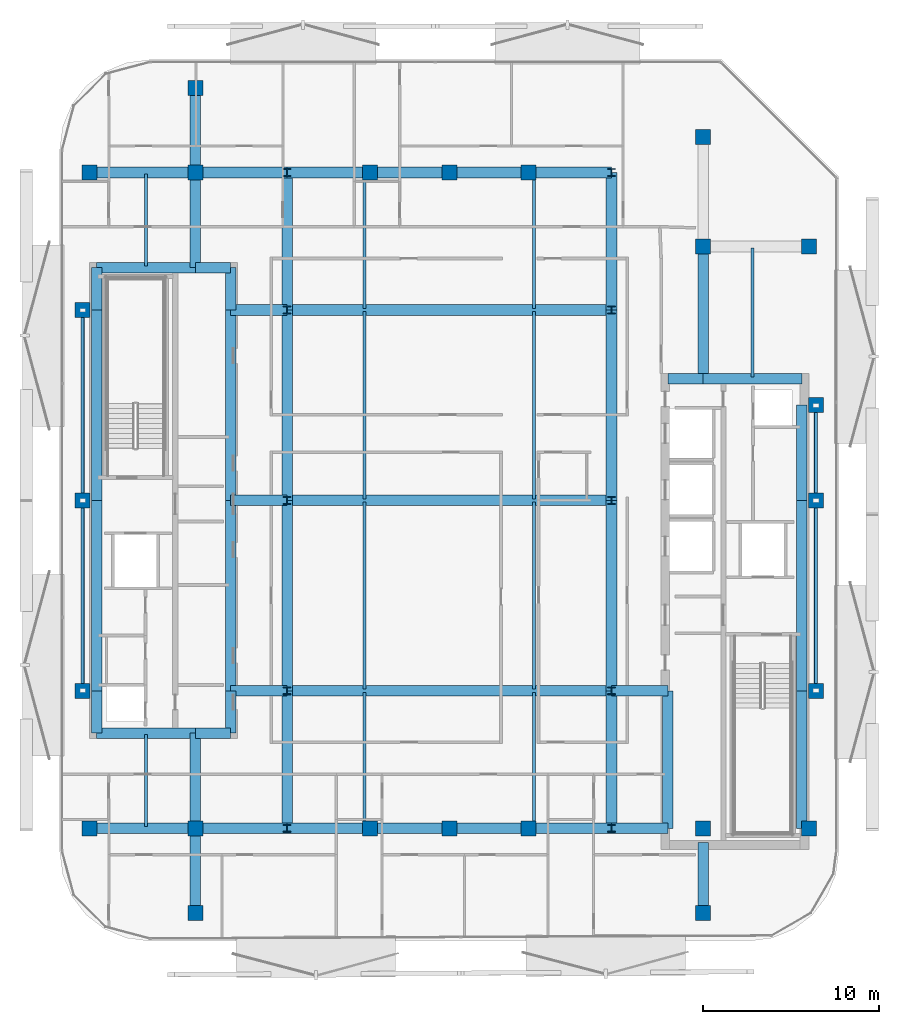
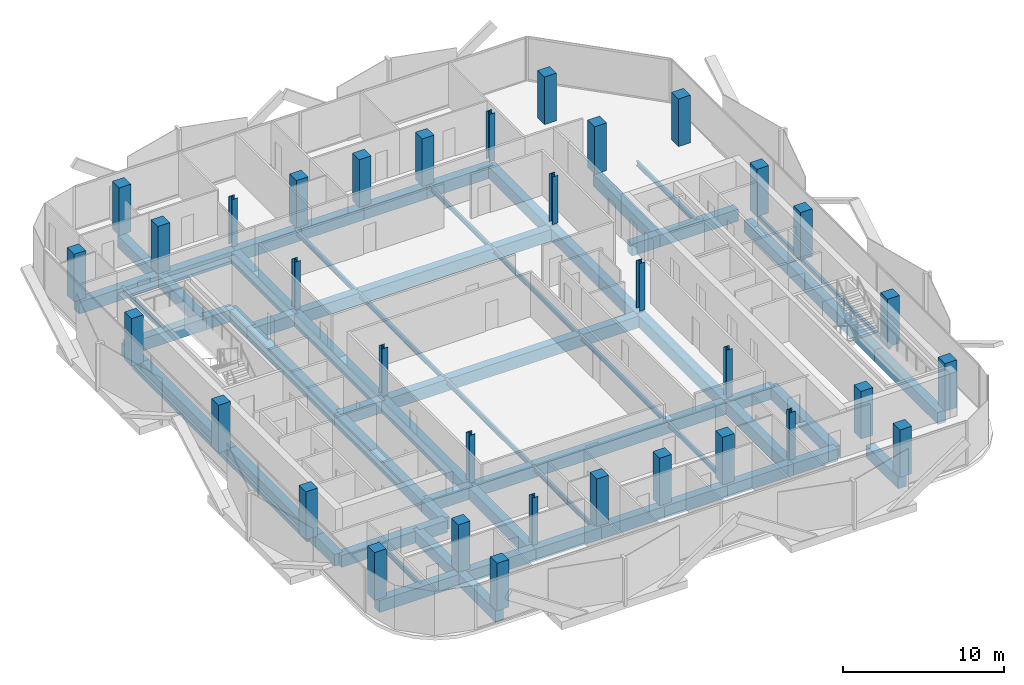
# One storey, part 1 of 15: 67 beams, 34 columns.
"""IFC4 building model written with IfcOpenShell, lengths in metres."""

from ifc_helpers import new_model, si_unit, direction, frame, origin, origin_2d, place, context, subcontext, project, spatial, rectangle, hollow_rectangle, i_section, extrude, material, material_profile, profile_set, type_object, element, save


model = new_model("IFC4")

# Units and contexts
model_context = context("Model", 3, precision=1e-05, world=origin(), true_north=direction((0.0, 1.0)))
body_context = subcontext(model_context, "Body", "Model", "MODEL_VIEW")
ifc_project = project(units=[si_unit("LENGTHUNIT", "METRE"), si_unit("AREAUNIT", "SQUARE_METRE"), si_unit("VOLUMEUNIT", "CUBIC_METRE"), si_unit("PLANEANGLEUNIT", "RADIAN"), si_unit("MASSUNIT", "GRAM", prefix="KILO")], contexts=[model_context])

# Site, building, storey
site_placement = place(None, origin())
site = spatial("IfcSite", under=ifc_project, at=site_placement, CompositionType="ELEMENT")
building_placement = place(site_placement, origin())
building = spatial("IfcBuilding", under=site, at=building_placement, Name="Khairoan Windgate Tower", CompositionType="ELEMENT")
storey_placement = place(building_placement, frame((0.0, 0.0, 251.199951171875)))
storey = spatial("IfcBuildingStorey", under=building, at=storey_placement, Name="L59", CompositionType="ELEMENT", Elevation=251.199951171875)

# Columns
ifc_material_1 = material(Name="Concrete C50/60", Category="concrete")
ifc_material_profile_1 = material_profile(ifc_material_1, rectangle(XDim=0.85009765625, YDim=0.85009765625, at=origin_2d()))
ifc_profile_set_1 = profile_set([ifc_material_profile_1], Name="Concrete C50/60")
column_type_1 = type_object("IfcColumnType", Name="Column C-T5 RC850x850", PredefinedType="COLUMN", material=ifc_profile_set_1)
for number, where, z_axis, x_axis, name in (
    (1, (-20.39990234375, -18.60009765625, 0.0), (0.0, 0.0, 1.0), (1.0, 0.0, 0.0), "Column L59-11"),
    (2, (-20.39990234375, 18.60009765625, 0.0), (0.0, 0.0, 1.0), (1.0, 0.0, 0.0), "Column L59-12"),
    (3, (20.39990234375, -18.60009765625, 0.0), (0.0, 0.0, 1.0), (1.0, 0.0, 0.0), "Column L59-13"),
    (4, (20.39990234375, 14.39990234375, 0.0), (0.0, 0.0, 1.0), (1.0, 0.0, 0.0), "Column L59-14"),
    (5, (-14.39990234375, -18.60009765625, 0.0), (0.0, 0.0, 1.0), (1.0, 0.0, 0.0), "Column L59-15"),
    (6, (-14.39990234375, 18.60009765625, 0.0), (0.0, 0.0, 1.0), (1.0, 0.0, 0.0), "Column L59-16"),
    (7, (14.39990234375, -18.60009765625, 0.0), (0.0, 0.0, 1.0), (1.0, 0.0, 0.0), "Column L59-17"),
    (8, (14.39990234375, 14.39990234375, 0.0), (0.0, 0.0, 1.0), (1.0, 0.0, 0.0), "Column L59-18"),
    (9, (-4.5, -18.60009765625, 0.0), (0.0, 0.0, 1.0), (1.0, 0.0, 0.0), "Column L59-19"),
    (10, (0.0, -18.60009765625, 0.0), (0.0, 0.0, 1.0), (1.0, 0.0, 0.0), "Column L59-20"),
    (11, (4.5, -18.60009765625, 0.0), (0.0, 0.0, 1.0), (1.0, 0.0, 0.0), "Column L59-21"),
    (12, (-4.5, 18.60009765625, 0.0), (0.0, 0.0, 1.0), (1.0, 0.0, 0.0), "Column L59-22"),
    (13, (0.0, 18.60009765625, 0.0), (0.0, 0.0, 1.0), (1.0, 0.0, 0.0), "Column L59-23"),
    (14, (4.5, 18.60009765625, 0.0), (0.0, 0.0, 1.0), (1.0, 0.0, 0.0), "Column L59-24"),
    (15, (-20.800048828125, -10.800048828125, 0.0), (0.0, 0.0, 1.0), (1.0, 0.0, 0.0), "Column L59-25"),
    (16, (-20.800048828125, 0.0, 0.0), (0.0, 0.0, 1.0), (1.0, 0.0, 0.0), "Column L59-26"),
    (17, (-20.800048828125, 10.800048828125, 0.0), (0.0, 0.0, 1.0), (1.0, 0.0, 0.0), "Column L59-27"),
    (18, (20.800048828125, -10.800048828125, 0.0), (0.0, 0.0, 1.0), (1.0, 0.0, 0.0), "Column L59-28"),
    (19, (20.800048828125, 0.0, 0.0), (0.0, 0.0, 1.0), (1.0, 0.0, 0.0), "Column L59-29"),
    (20, (20.800048828125, 5.39990234375, 0.0), (0.0, 0.0, 1.0), (1.0, 0.0, 0.0), "Column L59-30"),
    (21, (-14.39990234375, -23.39990234375, 0.0), (0.0, 0.0, 1.0), (1.0, 0.0, 0.0), "Column L59-31"),
    (22, (-14.39990234375, 23.39990234375, 0.0), (0.0, 0.0, 1.0), (1.0, 0.0, 0.0), "Column L59-32"),
    (23, (14.39990234375, -23.39990234375, 0.0), (0.0, 0.0, 1.0), (1.0, 0.0, 0.0), "Column L59-33"),
    (24, (14.39990234375, 20.60009765625, 0.0), (0.0, 0.0, 1.0), (1.0, 0.0, 0.0), "Column L59-34"),
):
    element("IfcColumn", number, at=place(storey_placement, frame(where, z_axis=z_axis, x_axis=x_axis)), inside=storey, type_object=column_type_1, Name=name, PredefinedType="COLUMN", context=body_context, shape_type="SweptSolid", body=[
        extrude(rectangle(XDim=0.85009765625, YDim=0.85009765625, at=origin_2d()), origin(), (0.0, 0.0, 1.0), 3.60009765625),
    ])
ifc_material_2 = material(Name="Steel S355", Category="steel")
ifc_material_profile_2 = material_profile(ifc_material_2, i_section(OverallWidth=0.406982421875, OverallDepth=0.427978515625, WebThickness=0.02001953125, FlangeThickness=0.034912109375, FilletRadius=0.02197265625, at=origin_2d()))
ifc_profile_set_2 = profile_set([ifc_material_profile_2], Name="Steel S355")
column_type_2 = type_object("IfcColumnType", Name="Steel Column SC3 H428x407x20x35", PredefinedType="COLUMN", material=ifc_profile_set_2)
for number, where, z_axis, x_axis, name in (
    (25, (-9.199951171875, -18.60009765625, 0.0), (0.0, 0.0, 1.0), (1.0, 0.0, 0.0), "Column L59-01"),
    (26, (-9.199951171875, -10.800048828125, 0.0), (0.0, 0.0, 1.0), (1.0, 0.0, 0.0), "Column L59-02"),
    (27, (-9.199951171875, 0.0, 0.0), (0.0, 0.0, 1.0), (1.0, 0.0, 0.0), "Column L59-03"),
    (28, (-9.199951171875, 10.800048828125, 0.0), (0.0, 0.0, 1.0), (1.0, 0.0, 0.0), "Column L59-04"),
    (29, (-9.199951171875, 18.60009765625, 0.0), (0.0, 0.0, 1.0), (1.0, 0.0, 0.0), "Column L59-05"),
    (30, (9.199951171875, -18.60009765625, 0.0), (0.0, 0.0, 1.0), (1.0, 0.0, 0.0), "Column L59-06"),
    (31, (9.199951171875, -10.800048828125, 0.0), (0.0, 0.0, 1.0), (1.0, 0.0, 0.0), "Column L59-07"),
    (32, (9.199951171875, 0.0, 0.0), (0.0, 0.0, 1.0), (1.0, 0.0, 0.0), "Column L59-08"),
    (33, (9.199951171875, 10.800048828125, 0.0), (0.0, 0.0, 1.0), (1.0, 0.0, 0.0), "Column L59-09"),
    (34, (9.199951171875, 18.60009765625, 0.0), (0.0, 0.0, 1.0), (1.0, 0.0, 0.0), "Column L59-10"),
):
    element("IfcColumn", number, at=place(storey_placement, frame(where, z_axis=z_axis, x_axis=x_axis)), inside=storey, type_object=column_type_2, Name=name, PredefinedType="COLUMN", context=body_context, shape_type="SweptSolid", body=[
        extrude(i_section(OverallWidth=0.406982421875, OverallDepth=0.427978515625, WebThickness=0.02001953125, FlangeThickness=0.034912109375, FilletRadius=0.02197265625, at=origin_2d()), origin(), (0.0, 0.0, 1.0), 3.60009765625),
    ])

# Beams
ifc_material_3 = material(Name="Concrete C50/60", Category="concrete")
ifc_material_profile_3 = material_profile(ifc_material_3, rectangle(XDim=0.60009765625, YDim=0.89990234375, at=origin_2d()))
ifc_profile_set_3 = profile_set([ifc_material_profile_3], Name="Concrete C50/60")
beam_type_1 = type_object("IfcBeamType", Name="Beam B-RC1 RC600x900", PredefinedType="BEAM", material=ifc_profile_set_3)
beam_1_placement = place(storey_placement, frame((-20.39990234375, -18.60009765625, -0.7099609375), z_axis=(1.0, 0.0, 0.0), x_axis=(0.0, 1.0, 0.0)))
element("IfcBeam", 35, at=beam_1_placement, inside=storey, type_object=beam_type_1, Name="L59 E-W Primary Girder 01", PredefinedType="BEAM", context=body_context, shape_type="SweptSolid", body=[
    extrude(rectangle(XDim=0.60009765625, YDim=0.89990234375, at=origin_2d()), origin(), (0.0, 0.0, 1.0), 6.0),
])
beam_2_placement = place(storey_placement, frame((-14.39990234375, -18.60009765625, -0.7099609375), z_axis=(1.0, 0.0, 0.0), x_axis=(0.0, 1.0, 0.0)))
element("IfcBeam", 36, at=beam_2_placement, inside=storey, type_object=beam_type_1, Name="L59 E-W Primary Girder 02", PredefinedType="BEAM", context=body_context, shape_type="SweptSolid", body=[
    extrude(rectangle(XDim=0.60009765625, YDim=0.89990234375, at=origin_2d()), origin(), (0.0, 0.0, 1.0), 5.199951171875),
])
beam_3_placement = place(storey_placement, frame((-9.199951171875, -18.60009765625, -0.7099609375), z_axis=(1.0, 0.0, 0.0), x_axis=(0.0, 1.0, 0.0)))
element("IfcBeam", 37, at=beam_3_placement, inside=storey, type_object=beam_type_1, Name="L59 E-W Primary Girder 03", PredefinedType="BEAM", context=body_context, shape_type="SweptSolid", body=[
    extrude(rectangle(XDim=0.60009765625, YDim=0.89990234375, at=origin_2d()), origin(), (0.0, 0.0, 1.0), 4.699951171875),
])
for number, where, z_axis, x_axis, name in (
    (38, (-4.5, -18.60009765625, -0.7099609375), (1.0, 0.0, 0.0), (0.0, 1.0, 0.0), "L59 E-W Primary Girder 04"),
    (39, (0.0, -18.60009765625, -0.7099609375), (1.0, 0.0, 0.0), (0.0, 1.0, 0.0), "L59 E-W Primary Girder 05"),
):
    element("IfcBeam", number, at=place(storey_placement, frame(where, z_axis=z_axis, x_axis=x_axis)), inside=storey, type_object=beam_type_1, Name=name, PredefinedType="BEAM", context=body_context, shape_type="SweptSolid", body=[
        extrude(rectangle(XDim=0.60009765625, YDim=0.89990234375, at=origin_2d()), origin(), (0.0, 0.0, 1.0), 4.5),
    ])
beam_4_placement = place(storey_placement, frame((4.5, -18.60009765625, -0.7099609375), z_axis=(1.0, 0.0, 0.0), x_axis=(0.0, 1.0, 0.0)))
element("IfcBeam", 40, at=beam_4_placement, inside=storey, type_object=beam_type_1, Name="L59 E-W Primary Girder 06", PredefinedType="BEAM", context=body_context, shape_type="SweptSolid", body=[
    extrude(rectangle(XDim=0.60009765625, YDim=0.89990234375, at=origin_2d()), origin(), (0.0, 0.0, 1.0), 4.699951171875),
])
beam_5_placement = place(storey_placement, frame((9.199951171875, -18.60009765625, -0.7099609375), z_axis=(1.0, 0.0, 0.0), x_axis=(0.0, 1.0, 0.0)))
element("IfcBeam", 41, at=beam_5_placement, inside=storey, type_object=beam_type_1, Name="L59 E-W Primary Girder 07", PredefinedType="BEAM", context=body_context, shape_type="SweptSolid", body=[
    extrude(rectangle(XDim=0.60009765625, YDim=0.89990234375, at=origin_2d()), origin(), (0.0, 0.0, 1.0), 3.199951171875),
])
beam_6_placement = place(storey_placement, frame((-20.0, -13.199951171875, -0.7099609375), z_axis=(1.0, 0.0, 0.0), x_axis=(0.0, 1.0, 0.0)))
element("IfcBeam", 42, at=beam_6_placement, inside=storey, type_object=beam_type_1, Name="L59 E-W Primary Girder 08", PredefinedType="BEAM", context=body_context, shape_type="SweptSolid", body=[
    extrude(rectangle(XDim=0.60009765625, YDim=0.89990234375, at=origin_2d()), origin(), (0.0, 0.0, 1.0), 5.60009765625),
])
beam_7_placement = place(storey_placement, frame((-14.39990234375, -13.199951171875, -0.7099609375), z_axis=(1.0, 0.0, 0.0), x_axis=(0.0, 1.0, 0.0)))
element("IfcBeam", 43, at=beam_7_placement, inside=storey, type_object=beam_type_1, Name="L59 E-W Primary Girder 09", PredefinedType="BEAM", context=body_context, shape_type="SweptSolid", body=[
    extrude(rectangle(XDim=0.60009765625, YDim=0.89990234375, at=origin_2d()), origin(), (0.0, 0.0, 1.0), 2.0),
])
beam_8_placement = place(storey_placement, frame((-12.39990234375, -10.800048828125, -0.7099609375), z_axis=(1.0, 0.0, 0.0), x_axis=(0.0, 1.0, 0.0)))
element("IfcBeam", 44, at=beam_8_placement, inside=storey, type_object=beam_type_1, Name="L59 E-W Primary Girder 10", PredefinedType="BEAM", context=body_context, shape_type="SweptSolid", body=[
    extrude(rectangle(XDim=0.60009765625, YDim=0.89990234375, at=origin_2d()), origin(), (0.0, 0.0, 1.0), 3.199951171875),
])
beam_9_placement = place(storey_placement, frame((-9.199951171875, -10.800048828125, -0.7099609375), z_axis=(1.0, 0.0, 0.0), x_axis=(0.0, 1.0, 0.0)))
element("IfcBeam", 45, at=beam_9_placement, inside=storey, type_object=beam_type_1, Name="L59 E-W Primary Girder 11", PredefinedType="BEAM", context=body_context, shape_type="SweptSolid", body=[
    extrude(rectangle(XDim=0.60009765625, YDim=0.89990234375, at=origin_2d()), origin(), (0.0, 0.0, 1.0), 18.39990234375),
])
for number, where, z_axis, x_axis, name in (
    (46, (9.199951171875, -10.800048828125, -0.7099609375), (1.0, 0.0, 0.0), (0.0, 1.0, 0.0), "L59 E-W Primary Girder 12"),
    (47, (-12.39990234375, 0.0, -0.7099609375), (1.0, 0.0, 0.0), (0.0, 1.0, 0.0), "L59 E-W Primary Girder 13"),
):
    element("IfcBeam", number, at=place(storey_placement, frame(where, z_axis=z_axis, x_axis=x_axis)), inside=storey, type_object=beam_type_1, Name=name, PredefinedType="BEAM", context=body_context, shape_type="SweptSolid", body=[
        extrude(rectangle(XDim=0.60009765625, YDim=0.89990234375, at=origin_2d()), origin(), (0.0, 0.0, 1.0), 3.199951171875),
    ])
beam_10_placement = place(storey_placement, frame((-9.199951171875, 0.0, -0.7099609375), z_axis=(1.0, 0.0, 0.0), x_axis=(0.0, 1.0, 0.0)))
element("IfcBeam", 48, at=beam_10_placement, inside=storey, type_object=beam_type_1, Name="L59 E-W Primary Girder 14", PredefinedType="BEAM", context=body_context, shape_type="SweptSolid", body=[
    extrude(rectangle(XDim=0.60009765625, YDim=0.89990234375, at=origin_2d()), origin(), (0.0, 0.0, 1.0), 18.39990234375),
])
beam_11_placement = place(storey_placement, frame((12.39990234375, 6.89990234375, -0.7099609375), z_axis=(1.0, 0.0, 0.0), x_axis=(0.0, 1.0, 0.0)))
element("IfcBeam", 49, at=beam_11_placement, inside=storey, type_object=beam_type_1, Name="L59 E-W Primary Girder 15", PredefinedType="BEAM", context=body_context, shape_type="SweptSolid", body=[
    extrude(rectangle(XDim=0.60009765625, YDim=0.89990234375, at=origin_2d()), origin(), (0.0, 0.0, 1.0), 2.0),
])
beam_12_placement = place(storey_placement, frame((14.39990234375, 6.89990234375, -0.7099609375), z_axis=(1.0, 0.0, 0.0), x_axis=(0.0, 1.0, 0.0)))
element("IfcBeam", 50, at=beam_12_placement, inside=storey, type_object=beam_type_1, Name="L59 E-W Primary Girder 16", PredefinedType="BEAM", context=body_context, shape_type="SweptSolid", body=[
    extrude(rectangle(XDim=0.60009765625, YDim=0.89990234375, at=origin_2d()), origin(), (0.0, 0.0, 1.0), 5.60009765625),
])
beam_13_placement = place(storey_placement, frame((-12.39990234375, 10.800048828125, -0.7099609375), z_axis=(1.0, 0.0, 0.0), x_axis=(0.0, 1.0, 0.0)))
element("IfcBeam", 51, at=beam_13_placement, inside=storey, type_object=beam_type_1, Name="L59 E-W Primary Girder 17", PredefinedType="BEAM", context=body_context, shape_type="SweptSolid", body=[
    extrude(rectangle(XDim=0.60009765625, YDim=0.89990234375, at=origin_2d()), origin(), (0.0, 0.0, 1.0), 3.199951171875),
])
beam_14_placement = place(storey_placement, frame((-9.199951171875, 10.800048828125, -0.7099609375), z_axis=(1.0, 0.0, 0.0), x_axis=(0.0, 1.0, 0.0)))
element("IfcBeam", 52, at=beam_14_placement, inside=storey, type_object=beam_type_1, Name="L59 E-W Primary Girder 18", PredefinedType="BEAM", context=body_context, shape_type="SweptSolid", body=[
    extrude(rectangle(XDim=0.60009765625, YDim=0.89990234375, at=origin_2d()), origin(), (0.0, 0.0, 1.0), 18.39990234375),
])
beam_15_placement = place(storey_placement, frame((-20.0, 13.199951171875, -0.7099609375), z_axis=(1.0, 0.0, 0.0), x_axis=(0.0, 1.0, 0.0)))
element("IfcBeam", 53, at=beam_15_placement, inside=storey, type_object=beam_type_1, Name="L59 E-W Primary Girder 19", PredefinedType="BEAM", context=body_context, shape_type="SweptSolid", body=[
    extrude(rectangle(XDim=0.60009765625, YDim=0.89990234375, at=origin_2d()), origin(), (0.0, 0.0, 1.0), 5.60009765625),
])
beam_16_placement = place(storey_placement, frame((-14.39990234375, 13.199951171875, -0.7099609375), z_axis=(1.0, 0.0, 0.0), x_axis=(0.0, 1.0, 0.0)))
element("IfcBeam", 54, at=beam_16_placement, inside=storey, type_object=beam_type_1, Name="L59 E-W Primary Girder 20", PredefinedType="BEAM", context=body_context, shape_type="SweptSolid", body=[
    extrude(rectangle(XDim=0.60009765625, YDim=0.89990234375, at=origin_2d()), origin(), (0.0, 0.0, 1.0), 2.0),
])
beam_17_placement = place(storey_placement, frame((-20.39990234375, 18.60009765625, -0.7099609375), z_axis=(1.0, 0.0, 0.0), x_axis=(0.0, 1.0, 0.0)))
element("IfcBeam", 55, at=beam_17_placement, inside=storey, type_object=beam_type_1, Name="L59 E-W Primary Girder 22", PredefinedType="BEAM", context=body_context, shape_type="SweptSolid", body=[
    extrude(rectangle(XDim=0.60009765625, YDim=0.89990234375, at=origin_2d()), origin(), (0.0, 0.0, 1.0), 6.0),
])
beam_18_placement = place(storey_placement, frame((-14.39990234375, 18.60009765625, -0.7099609375), z_axis=(1.0, 0.0, 0.0), x_axis=(0.0, 1.0, 0.0)))
element("IfcBeam", 56, at=beam_18_placement, inside=storey, type_object=beam_type_1, Name="L59 E-W Primary Girder 23", PredefinedType="BEAM", context=body_context, shape_type="SweptSolid", body=[
    extrude(rectangle(XDim=0.60009765625, YDim=0.89990234375, at=origin_2d()), origin(), (0.0, 0.0, 1.0), 5.199951171875),
])
beam_19_placement = place(storey_placement, frame((-9.199951171875, 18.60009765625, -0.7099609375), z_axis=(1.0, 0.0, 0.0), x_axis=(0.0, 1.0, 0.0)))
element("IfcBeam", 57, at=beam_19_placement, inside=storey, type_object=beam_type_1, Name="L59 E-W Primary Girder 24", PredefinedType="BEAM", context=body_context, shape_type="SweptSolid", body=[
    extrude(rectangle(XDim=0.60009765625, YDim=0.89990234375, at=origin_2d()), origin(), (0.0, 0.0, 1.0), 4.699951171875),
])
for number, where, z_axis, x_axis, name in (
    (58, (-4.5, 18.60009765625, -0.7099609375), (1.0, 0.0, 0.0), (0.0, 1.0, 0.0), "L59 E-W Primary Girder 25"),
    (59, (0.0, 18.60009765625, -0.7099609375), (1.0, 0.0, 0.0), (0.0, 1.0, 0.0), "L59 E-W Primary Girder 26"),
):
    element("IfcBeam", number, at=place(storey_placement, frame(where, z_axis=z_axis, x_axis=x_axis)), inside=storey, type_object=beam_type_1, Name=name, PredefinedType="BEAM", context=body_context, shape_type="SweptSolid", body=[
        extrude(rectangle(XDim=0.60009765625, YDim=0.89990234375, at=origin_2d()), origin(), (0.0, 0.0, 1.0), 4.5),
    ])
beam_20_placement = place(storey_placement, frame((4.5, 18.60009765625, -0.7099609375), z_axis=(1.0, 0.0, 0.0), x_axis=(0.0, 1.0, 0.0)))
element("IfcBeam", 60, at=beam_20_placement, inside=storey, type_object=beam_type_1, Name="L59 E-W Primary Girder 27", PredefinedType="BEAM", context=body_context, shape_type="SweptSolid", body=[
    extrude(rectangle(XDim=0.60009765625, YDim=0.89990234375, at=origin_2d()), origin(), (0.0, 0.0, 1.0), 4.699951171875),
])
beam_21_placement = place(storey_placement, frame((-20.0, -13.199951171875, -0.7099609375), z_axis=(0.0, 1.0, 0.0), x_axis=(-1.0, 0.0, 0.0)))
element("IfcBeam", 61, at=beam_21_placement, inside=storey, type_object=beam_type_1, Name="L59 N-S Primary Beam 30", PredefinedType="BEAM", context=body_context, shape_type="SweptSolid", body=[
    extrude(rectangle(XDim=0.60009765625, YDim=0.89990234375, at=origin_2d()), origin(), (0.0, 0.0, 1.0), 2.39990234375),
])
for number, where, z_axis, x_axis, name in (
    (62, (-20.0, -10.800048828125, -0.7099609375), (0.0, 1.0, 0.0), (-1.0, 0.0, 0.0), "L59 N-S Primary Beam 31"),
    (63, (-20.0, 0.0, -0.7099609375), (0.0, 1.0, 0.0), (-1.0, 0.0, 0.0), "L59 N-S Primary Beam 32"),
):
    element("IfcBeam", number, at=place(storey_placement, frame(where, z_axis=z_axis, x_axis=x_axis)), inside=storey, type_object=beam_type_1, Name=name, PredefinedType="BEAM", context=body_context, shape_type="SweptSolid", body=[
        extrude(rectangle(XDim=0.60009765625, YDim=0.89990234375, at=origin_2d()), origin(), (0.0, 0.0, 1.0), 10.800048828125),
    ])
beam_22_placement = place(storey_placement, frame((-20.0, 10.800048828125, -0.7099609375), z_axis=(0.0, 1.0, 0.0), x_axis=(-1.0, 0.0, 0.0)))
element("IfcBeam", 64, at=beam_22_placement, inside=storey, type_object=beam_type_1, Name="L59 N-S Primary Beam 33", PredefinedType="BEAM", context=body_context, shape_type="SweptSolid", body=[
    extrude(rectangle(XDim=0.60009765625, YDim=0.89990234375, at=origin_2d()), origin(), (0.0, 0.0, 1.0), 2.39990234375),
])
beam_23_placement = place(storey_placement, frame((-14.39990234375, -23.39990234375, -0.7099609375), z_axis=(0.0, 1.0, 0.0), x_axis=(-1.0, 0.0, 0.0)))
element("IfcBeam", 65, at=beam_23_placement, inside=storey, type_object=beam_type_1, Name="L59 N-S Primary Beam 34", PredefinedType="BEAM", context=body_context, shape_type="SweptSolid", body=[
    extrude(rectangle(XDim=0.60009765625, YDim=0.89990234375, at=origin_2d()), origin(), (0.0, 0.0, 1.0), 4.7998046875),
])
for number, where, z_axis, x_axis, name in (
    (66, (-14.39990234375, -18.60009765625, -0.7099609375), (0.0, 1.0, 0.0), (-1.0, 0.0, 0.0), "L59 N-S Primary Beam 35"),
    (67, (-14.39990234375, 13.199951171875, -0.7099609375), (0.0, 1.0, 0.0), (-1.0, 0.0, 0.0), "L59 N-S Primary Beam 36"),
):
    element("IfcBeam", number, at=place(storey_placement, frame(where, z_axis=z_axis, x_axis=x_axis)), inside=storey, type_object=beam_type_1, Name=name, PredefinedType="BEAM", context=body_context, shape_type="SweptSolid", body=[
        extrude(rectangle(XDim=0.60009765625, YDim=0.89990234375, at=origin_2d()), origin(), (0.0, 0.0, 1.0), 5.400146484375),
    ])
beam_24_placement = place(storey_placement, frame((-14.39990234375, 18.60009765625, -0.7099609375), z_axis=(0.0, 1.0, 0.0), x_axis=(-1.0, 0.0, 0.0)))
element("IfcBeam", 68, at=beam_24_placement, inside=storey, type_object=beam_type_1, Name="L59 N-S Primary Beam 37", PredefinedType="BEAM", context=body_context, shape_type="SweptSolid", body=[
    extrude(rectangle(XDim=0.60009765625, YDim=0.89990234375, at=origin_2d()), origin(), (0.0, 0.0, 1.0), 4.7998046875),
])
beam_25_placement = place(storey_placement, frame((-12.39990234375, -13.199951171875, -0.7099609375), z_axis=(0.0, 1.0, 0.0), x_axis=(-1.0, 0.0, 0.0)))
element("IfcBeam", 69, at=beam_25_placement, inside=storey, type_object=beam_type_1, Name="L59 N-S Primary Beam 38", PredefinedType="BEAM", context=body_context, shape_type="SweptSolid", body=[
    extrude(rectangle(XDim=0.60009765625, YDim=0.89990234375, at=origin_2d()), origin(), (0.0, 0.0, 1.0), 2.39990234375),
])
for number, where, z_axis, x_axis, name in (
    (70, (-12.39990234375, -10.800048828125, -0.7099609375), (0.0, 1.0, 0.0), (-1.0, 0.0, 0.0), "L59 N-S Primary Beam 39"),
    (71, (-12.39990234375, 0.0, -0.7099609375), (0.0, 1.0, 0.0), (-1.0, 0.0, 0.0), "L59 N-S Primary Beam 40"),
):
    element("IfcBeam", number, at=place(storey_placement, frame(where, z_axis=z_axis, x_axis=x_axis)), inside=storey, type_object=beam_type_1, Name=name, PredefinedType="BEAM", context=body_context, shape_type="SweptSolid", body=[
        extrude(rectangle(XDim=0.60009765625, YDim=0.89990234375, at=origin_2d()), origin(), (0.0, 0.0, 1.0), 10.800048828125),
    ])
beam_26_placement = place(storey_placement, frame((-12.39990234375, 10.800048828125, -0.7099609375), z_axis=(0.0, 1.0, 0.0), x_axis=(-1.0, 0.0, 0.0)))
element("IfcBeam", 72, at=beam_26_placement, inside=storey, type_object=beam_type_1, Name="L59 N-S Primary Beam 41", PredefinedType="BEAM", context=body_context, shape_type="SweptSolid", body=[
    extrude(rectangle(XDim=0.60009765625, YDim=0.89990234375, at=origin_2d()), origin(), (0.0, 0.0, 1.0), 2.39990234375),
])
beam_27_placement = place(storey_placement, frame((-9.199951171875, -18.60009765625, -0.7099609375), z_axis=(0.0, 1.0, 0.0), x_axis=(-1.0, 0.0, 0.0)))
element("IfcBeam", 73, at=beam_27_placement, inside=storey, type_object=beam_type_1, Name="L59 N-S Primary Beam 42", PredefinedType="BEAM", context=body_context, shape_type="SweptSolid", body=[
    extrude(rectangle(XDim=0.60009765625, YDim=0.89990234375, at=origin_2d()), origin(), (0.0, 0.0, 1.0), 7.800048828125),
])
for number, where, z_axis, x_axis, name in (
    (74, (-9.199951171875, -10.800048828125, -0.7099609375), (0.0, 1.0, 0.0), (-1.0, 0.0, 0.0), "L59 N-S Primary Beam 43"),
    (75, (-9.199951171875, 0.0, -0.7099609375), (0.0, 1.0, 0.0), (-1.0, 0.0, 0.0), "L59 N-S Primary Beam 44"),
):
    element("IfcBeam", number, at=place(storey_placement, frame(where, z_axis=z_axis, x_axis=x_axis)), inside=storey, type_object=beam_type_1, Name=name, PredefinedType="BEAM", context=body_context, shape_type="SweptSolid", body=[
        extrude(rectangle(XDim=0.60009765625, YDim=0.89990234375, at=origin_2d()), origin(), (0.0, 0.0, 1.0), 10.800048828125),
    ])
for number, where, z_axis, x_axis, name in (
    (76, (-9.199951171875, 10.800048828125, -0.7099609375), (0.0, 1.0, 0.0), (-1.0, 0.0, 0.0), "L59 N-S Primary Beam 45"),
    (77, (9.199951171875, -18.60009765625, -0.7099609375), (0.0, 1.0, 0.0), (-1.0, 0.0, 0.0), "L59 N-S Primary Beam 46"),
):
    element("IfcBeam", number, at=place(storey_placement, frame(where, z_axis=z_axis, x_axis=x_axis)), inside=storey, type_object=beam_type_1, Name=name, PredefinedType="BEAM", context=body_context, shape_type="SweptSolid", body=[
        extrude(rectangle(XDim=0.60009765625, YDim=0.89990234375, at=origin_2d()), origin(), (0.0, 0.0, 1.0), 7.800048828125),
    ])
for number, where, z_axis, x_axis, name in (
    (78, (9.199951171875, -10.800048828125, -0.7099609375), (0.0, 1.0, 0.0), (-1.0, 0.0, 0.0), "L59 N-S Primary Beam 47"),
    (79, (9.199951171875, 0.0, -0.7099609375), (0.0, 1.0, 0.0), (-1.0, 0.0, 0.0), "L59 N-S Primary Beam 48"),
):
    element("IfcBeam", number, at=place(storey_placement, frame(where, z_axis=z_axis, x_axis=x_axis)), inside=storey, type_object=beam_type_1, Name=name, PredefinedType="BEAM", context=body_context, shape_type="SweptSolid", body=[
        extrude(rectangle(XDim=0.60009765625, YDim=0.89990234375, at=origin_2d()), origin(), (0.0, 0.0, 1.0), 10.800048828125),
    ])
for number, where, z_axis, x_axis, name in (
    (80, (9.199951171875, 10.800048828125, -0.7099609375), (0.0, 1.0, 0.0), (-1.0, 0.0, 0.0), "L59 N-S Primary Beam 49"),
    (81, (12.39990234375, -18.60009765625, -0.7099609375), (0.0, 1.0, 0.0), (-1.0, 0.0, 0.0), "L59 N-S Primary Beam 50"),
):
    element("IfcBeam", number, at=place(storey_placement, frame(where, z_axis=z_axis, x_axis=x_axis)), inside=storey, type_object=beam_type_1, Name=name, PredefinedType="BEAM", context=body_context, shape_type="SweptSolid", body=[
        extrude(rectangle(XDim=0.60009765625, YDim=0.89990234375, at=origin_2d()), origin(), (0.0, 0.0, 1.0), 7.800048828125),
    ])
beam_28_placement = place(storey_placement, frame((14.39990234375, -23.39990234375, -0.7099609375), z_axis=(0.0, 1.0, 0.0), x_axis=(-1.0, 0.0, 0.0)))
element("IfcBeam", 82, at=beam_28_placement, inside=storey, type_object=beam_type_1, Name="L59 N-S Primary Beam 51", PredefinedType="BEAM", context=body_context, shape_type="SweptSolid", body=[
    extrude(rectangle(XDim=0.60009765625, YDim=0.89990234375, at=origin_2d()), origin(), (0.0, 0.0, 1.0), 4.0),
])
beam_29_placement = place(storey_placement, frame((14.39990234375, 6.89990234375, -0.7099609375), z_axis=(0.0, 1.0, 0.0), x_axis=(-1.0, 0.0, 0.0)))
element("IfcBeam", 83, at=beam_29_placement, inside=storey, type_object=beam_type_1, Name="L59 N-S Primary Beam 52", PredefinedType="BEAM", context=body_context, shape_type="SweptSolid", body=[
    extrude(rectangle(XDim=0.60009765625, YDim=0.89990234375, at=origin_2d()), origin(), (0.0, 0.0, 1.0), 7.5),
])
beam_30_placement = place(storey_placement, frame((20.0, -18.60009765625, -0.7099609375), z_axis=(0.0, 1.0, 0.0), x_axis=(-1.0, 0.0, 0.0)))
element("IfcBeam", 84, at=beam_30_placement, inside=storey, type_object=beam_type_1, Name="L59 N-S Primary Beam 54", PredefinedType="BEAM", context=body_context, shape_type="SweptSolid", body=[
    extrude(rectangle(XDim=0.60009765625, YDim=0.89990234375, at=origin_2d()), origin(), (0.0, 0.0, 1.0), 7.800048828125),
])
beam_31_placement = place(storey_placement, frame((20.0, -10.800048828125, -0.7099609375), z_axis=(0.0, 1.0, 0.0), x_axis=(-1.0, 0.0, 0.0)))
element("IfcBeam", 85, at=beam_31_placement, inside=storey, type_object=beam_type_1, Name="L59 N-S Primary Beam 55", PredefinedType="BEAM", context=body_context, shape_type="SweptSolid", body=[
    extrude(rectangle(XDim=0.60009765625, YDim=0.89990234375, at=origin_2d()), origin(), (0.0, 0.0, 1.0), 10.800048828125),
])
beam_32_placement = place(storey_placement, frame((20.0, 0.0, -0.7099609375), z_axis=(0.0, 1.0, 0.0), x_axis=(-1.0, 0.0, 0.0)))
element("IfcBeam", 86, at=beam_32_placement, inside=storey, type_object=beam_type_1, Name="L59 N-S Primary Beam 56", PredefinedType="BEAM", context=body_context, shape_type="SweptSolid", body=[
    extrude(rectangle(XDim=0.60009765625, YDim=0.89990234375, at=origin_2d()), origin(), (0.0, 0.0, 1.0), 5.39990234375),
])
ifc_material_4 = material(Name="Steel S355", Category="steel")
ifc_material_profile_4 = material_profile(ifc_material_4, i_section(OverallWidth=0.175048828125, OverallDepth=0.35009765625, WebThickness=0.007080078125, FlangeThickness=0.010986328125, FilletRadius=0.013916015625, at=origin_2d()))
ifc_profile_set_4 = profile_set([ifc_material_profile_4], Name="Steel S355")
beam_type_2 = type_object("IfcBeamType", Name="Beam J-S5 H350x175x7x11", PredefinedType="JOIST", material=ifc_profile_set_4)
for number, where, z_axis, x_axis, name in (
    (87, (-17.199951171875, -18.510009765625, -0.43505859375), (0.0, 1.0, 0.0), (-1.0, 0.0, 0.0), "L59 Secondary Floor Joist 01"),
    (88, (-17.199951171875, 13.2900390625, -0.43505859375), (0.0, 1.0, 0.0), (-1.0, 0.0, 0.0), "L59 Secondary Floor Joist 02"),
):
    element("IfcBeam", number, at=place(storey_placement, frame(where, z_axis=z_axis, x_axis=x_axis)), inside=storey, type_object=beam_type_2, Name=name, PredefinedType="JOIST", context=body_context, shape_type="SweptSolid", body=[
        extrude(i_section(OverallWidth=0.175048828125, OverallDepth=0.35009765625, WebThickness=0.007080078125, FlangeThickness=0.010986328125, FilletRadius=0.013916015625, at=origin_2d()), origin(), (0.0, 0.0, 1.0), 5.219970703125),
    ])
beam_33_placement = place(storey_placement, frame((-4.800048828125, -18.510009765625, -0.43505859375), z_axis=(0.0, 1.0, 0.0), x_axis=(-1.0, 0.0, 0.0)))
element("IfcBeam", 89, at=beam_33_placement, inside=storey, type_object=beam_type_2, Name="L59 Secondary Floor Joist 03", PredefinedType="JOIST", context=body_context, shape_type="SweptSolid", body=[
    extrude(i_section(OverallWidth=0.175048828125, OverallDepth=0.35009765625, WebThickness=0.007080078125, FlangeThickness=0.010986328125, FilletRadius=0.013916015625, at=origin_2d()), origin(), (0.0, 0.0, 1.0), 7.6201171875),
])
for number, where, z_axis, x_axis, name in (
    (90, (-4.800048828125, -10.7099609375, -0.43505859375), (0.0, 1.0, 0.0), (-1.0, 0.0, 0.0), "L59 Secondary Floor Joist 04"),
    (91, (-4.800048828125, 0.090087890625, -0.43505859375), (0.0, 1.0, 0.0), (-1.0, 0.0, 0.0), "L59 Secondary Floor Joist 05"),
):
    element("IfcBeam", number, at=place(storey_placement, frame(where, z_axis=z_axis, x_axis=x_axis)), inside=storey, type_object=beam_type_2, Name=name, PredefinedType="JOIST", context=body_context, shape_type="SweptSolid", body=[
        extrude(i_section(OverallWidth=0.175048828125, OverallDepth=0.35009765625, WebThickness=0.007080078125, FlangeThickness=0.010986328125, FilletRadius=0.013916015625, at=origin_2d()), origin(), (0.0, 0.0, 1.0), 10.619873046875),
    ])
for number, where, z_axis, x_axis, name in (
    (92, (-4.800048828125, 10.889892578125, -0.43505859375), (0.0, 1.0, 0.0), (-1.0, 0.0, 0.0), "L59 Secondary Floor Joist 06"),
    (93, (4.800048828125, -18.510009765625, -0.43505859375), (0.0, 1.0, 0.0), (-1.0, 0.0, 0.0), "L59 Secondary Floor Joist 07"),
):
    element("IfcBeam", number, at=place(storey_placement, frame(where, z_axis=z_axis, x_axis=x_axis)), inside=storey, type_object=beam_type_2, Name=name, PredefinedType="JOIST", context=body_context, shape_type="SweptSolid", body=[
        extrude(i_section(OverallWidth=0.175048828125, OverallDepth=0.35009765625, WebThickness=0.007080078125, FlangeThickness=0.010986328125, FilletRadius=0.013916015625, at=origin_2d()), origin(), (0.0, 0.0, 1.0), 7.6201171875),
    ])
for number, where, z_axis, x_axis, name in (
    (94, (4.800048828125, -10.7099609375, -0.43505859375), (0.0, 1.0, 0.0), (-1.0, 0.0, 0.0), "L59 Secondary Floor Joist 08"),
    (95, (4.800048828125, 0.090087890625, -0.43505859375), (0.0, 1.0, 0.0), (-1.0, 0.0, 0.0), "L59 Secondary Floor Joist 09"),
):
    element("IfcBeam", number, at=place(storey_placement, frame(where, z_axis=z_axis, x_axis=x_axis)), inside=storey, type_object=beam_type_2, Name=name, PredefinedType="JOIST", context=body_context, shape_type="SweptSolid", body=[
        extrude(i_section(OverallWidth=0.175048828125, OverallDepth=0.35009765625, WebThickness=0.007080078125, FlangeThickness=0.010986328125, FilletRadius=0.013916015625, at=origin_2d()), origin(), (0.0, 0.0, 1.0), 10.619873046875),
    ])
beam_34_placement = place(storey_placement, frame((4.800048828125, 10.889892578125, -0.43505859375), z_axis=(0.0, 1.0, 0.0), x_axis=(-1.0, 0.0, 0.0)))
element("IfcBeam", 96, at=beam_34_placement, inside=storey, type_object=beam_type_2, Name="L59 Secondary Floor Joist 10", PredefinedType="JOIST", context=body_context, shape_type="SweptSolid", body=[
    extrude(i_section(OverallWidth=0.175048828125, OverallDepth=0.35009765625, WebThickness=0.007080078125, FlangeThickness=0.010986328125, FilletRadius=0.013916015625, at=origin_2d()), origin(), (0.0, 0.0, 1.0), 7.6201171875),
])
beam_35_placement = place(storey_placement, frame((17.199951171875, 6.989990234375, -0.43505859375), z_axis=(0.0, 1.0, 0.0), x_axis=(-1.0, 0.0, 0.0)))
element("IfcBeam", 97, at=beam_35_placement, inside=storey, type_object=beam_type_2, Name="L59 Secondary Floor Joist 11", PredefinedType="JOIST", context=body_context, shape_type="SweptSolid", body=[
    extrude(i_section(OverallWidth=0.175048828125, OverallDepth=0.35009765625, WebThickness=0.007080078125, FlangeThickness=0.010986328125, FilletRadius=0.013916015625, at=origin_2d()), origin(), (0.0, 0.0, 1.0), 7.320068359375),
])
ifc_material_5 = material(Name="Steel S355", Category="steel")
ifc_material_profile_5 = material_profile(ifc_material_5, hollow_rectangle(XDim=0.199951171875, YDim=0.300048828125, WallThickness=0.012451171875, InnerFilletRadius=0.012451171875, OuterFilletRadius=0.02490234375, at=origin_2d()))
ifc_profile_set_5 = profile_set([ifc_material_profile_5], Name="Steel S355")
beam_type_3 = type_object("IfcBeamType", Name="Beam SP-B3 RHS300x200x12.5", PredefinedType="SPANDREL", material=ifc_profile_set_5)
for number, where, z_axis, x_axis, name in (
    (98, (-20.800048828125, -10.800048828125, -0.409912109375), (0.0, 1.0, 0.0), (-1.0, 0.0, 0.0), "L59 Spandrel Beam 28"),
    (99, (-20.800048828125, 0.0, -0.409912109375), (0.0, 1.0, 0.0), (-1.0, 0.0, 0.0), "L59 Spandrel Beam 29"),
    (100, (20.800048828125, -10.800048828125, -0.409912109375), (0.0, 1.0, 0.0), (-1.0, 0.0, 0.0), "L59 Spandrel Beam 57"),
):
    element("IfcBeam", number, at=place(storey_placement, frame(where, z_axis=z_axis, x_axis=x_axis)), inside=storey, type_object=beam_type_3, Name=name, PredefinedType="SPANDREL", context=body_context, shape_type="SweptSolid", body=[
        extrude(hollow_rectangle(XDim=0.199951171875, YDim=0.300048828125, WallThickness=0.012451171875, InnerFilletRadius=0.012451171875, OuterFilletRadius=0.02490234375, at=origin_2d()), origin(), (0.0, 0.0, 1.0), 10.800048828125),
    ])
beam_36_placement = place(storey_placement, frame((20.800048828125, 0.0, -0.409912109375), z_axis=(0.0, 1.0, 0.0), x_axis=(-1.0, 0.0, 0.0)))
element("IfcBeam", 101, at=beam_36_placement, inside=storey, type_object=beam_type_3, Name="L59 Spandrel Beam 58", PredefinedType="SPANDREL", context=body_context, shape_type="SweptSolid", body=[
    extrude(hollow_rectangle(XDim=0.199951171875, YDim=0.300048828125, WallThickness=0.012451171875, InnerFilletRadius=0.012451171875, OuterFilletRadius=0.02490234375, at=origin_2d()), origin(), (0.0, 0.0, 1.0), 5.39990234375),
])

save(model, "model.ifc")
